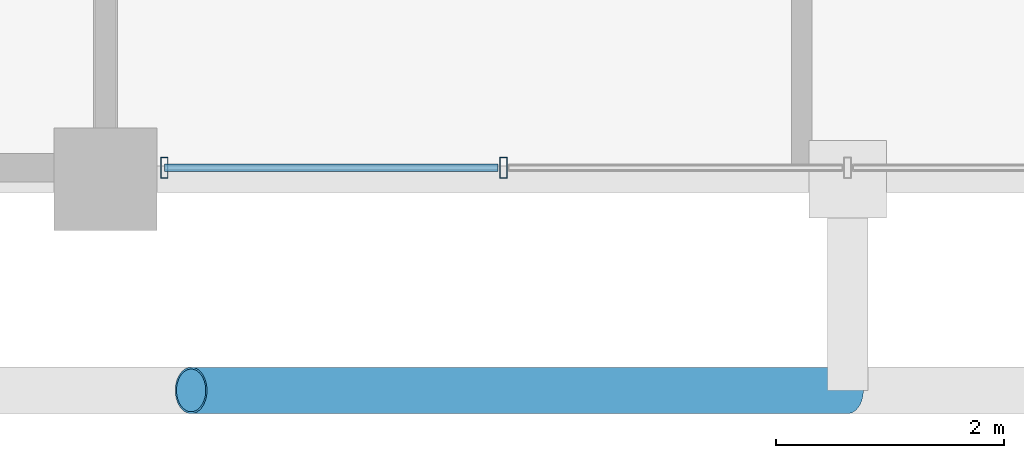
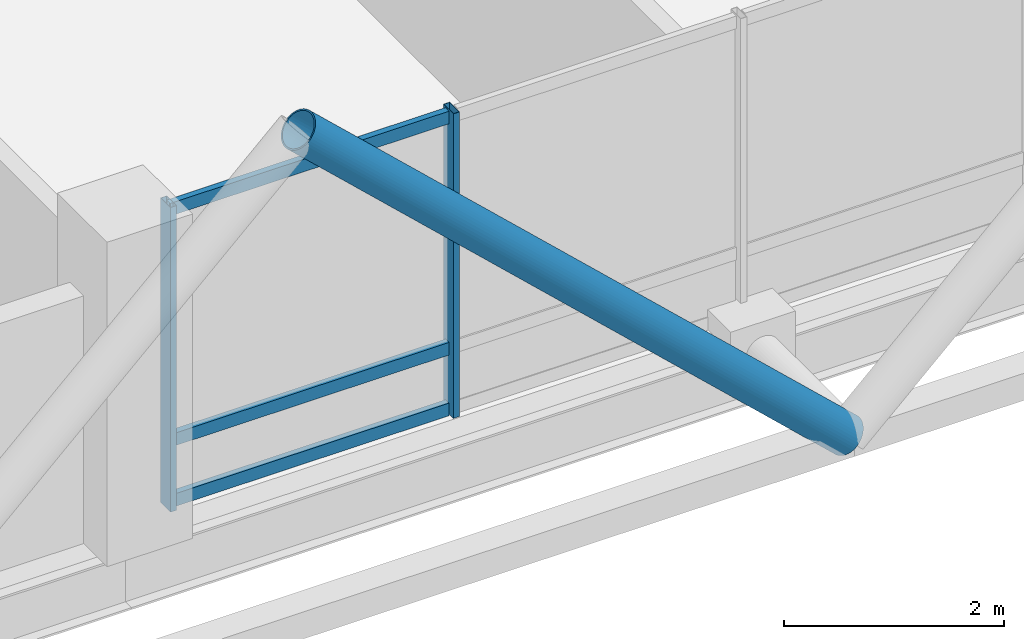
# One storey, part 2 of 24: 6 members, 1 element without a shape of its own.
"""IFC4 building model written with IfcOpenShell, lengths in metres."""

from ifc_helpers import new_model, si_unit, direction, frame, origin, origin_2d, place, context, subcontext, project, spatial, hollow_rectangle, hollow_circle, extrude, material, layer, layer_set, material_profile, profile_set, type_object, element, aggregate, save


model = new_model("IFC4")

# Units and contexts
model_context = context("Model", 3, precision=1e-05, world=origin(), true_north=direction((0.0, 1.0)))
body_context = subcontext(model_context, "Body", "Model", "MODEL_VIEW")
ifc_project = project(units=[si_unit("LENGTHUNIT", "METRE"), si_unit("AREAUNIT", "SQUARE_METRE"), si_unit("VOLUMEUNIT", "CUBIC_METRE"), si_unit("PLANEANGLEUNIT", "RADIAN"), si_unit("MASSUNIT", "GRAM", prefix="KILO")], contexts=[model_context])

# Site, building, storey
site_placement = place(None, origin())
site = spatial("IfcSite", under=ifc_project, at=site_placement, CompositionType="ELEMENT")
building_placement = place(site_placement, origin())
building = spatial("IfcBuilding", under=site, at=building_placement, Name="Barlavira Tower and Art Museum", CompositionType="ELEMENT")
storey_placement = place(building_placement, frame((0.0, 0.0, 283.5)))
storey = spatial("IfcBuildingStorey", under=building, at=storey_placement, Name="L74", CompositionType="ELEMENT", Elevation=283.5)

# Curtain wall, members
ifc_material_1 = material(Name="Low-iron coastal laminated glass", Category="glass")
ifc_layer = layer(ifc_material_1, 0.2099609375, Name="Low-iron coastal laminated glass")
ifc_layer_set = layer_set([ifc_layer], Name="Low-iron coastal laminated glass")
curtain_wall_type = type_object("IfcCurtainWallType", Name="Pale-Metal Unitised Curtain Wall Zone 4", PredefinedType="NOTDEFINED", material=ifc_layer_set)
curtain_wall_placement = place(storey_placement, origin())
curtain_wall = element("IfcCurtainWall", 1, at=curtain_wall_placement, inside=storey, type_object=curtain_wall_type, Name="L74 Curtain Wall CW4-L74-S-B2", PredefinedType="NOTDEFINED")
ifc_material_2 = material(Name="Pale anodised aluminium", Category="aluminium")
ifc_material_profile_1 = material_profile(ifc_material_2, hollow_rectangle(XDim=0.06494140625, YDim=0.179931640625, WallThickness=0.00390625, at=origin_2d()), Name="ALU-MULL 65x180x4")
ifc_profile_set_1 = profile_set([ifc_material_profile_1], Name="Pale anodised aluminium")
member_type_1 = type_object("IfcMemberType", Name="Curtain Wall Pale-Metal Mullion 65x180", PredefinedType="MULLION", material=ifc_profile_set_1)
member_1_placement = place(storey_placement, frame((-5.985107421875, -19.89990234375, 0.0), z_axis=(0.0, 0.0, 1.0), x_axis=(1.0, 0.0, 0.0)))
member_1 = element("IfcMember", 2, at=member_1_placement, type_object=member_type_1, Name="CW4-L74-S-B2 Mullion 0", PredefinedType="MULLION", context=body_context, shape_type="SweptSolid", body=[
    extrude(hollow_rectangle(XDim=0.06494140625, YDim=0.179931640625, WallThickness=0.00390625, at=origin_2d()), origin(), (0.0, 0.0, 1.0), 3.3798828125),
])
member_2_placement = place(storey_placement, frame((-3.014892578125, -19.89990234375, 0.0), z_axis=(0.0, 0.0, 1.0), x_axis=(1.0, 0.0, 0.0)))
member_2 = element("IfcMember", 3, at=member_2_placement, type_object=member_type_1, Name="CW4-L74-S-B2 Mullion 1", PredefinedType="MULLION", context=body_context, shape_type="SweptSolid", body=[
    extrude(hollow_rectangle(XDim=0.06494140625, YDim=0.179931640625, WallThickness=0.00390625, at=origin_2d()), origin(), (0.0, 0.0, 1.0), 3.3798828125),
])
ifc_material_profile_2 = material_profile(ifc_material_2, hollow_rectangle(XDim=0.06494140625, YDim=0.139892578125, WallThickness=0.00390625, at=origin_2d()), Name="ALU-TRAN 65x140x4")
ifc_profile_set_2 = profile_set([ifc_material_profile_2], Name="Pale anodised aluminium")
member_type_2 = type_object("IfcMemberType", Name="Curtain Wall Pale-Metal Transom 65x140", PredefinedType="USERDEFINED", material=ifc_profile_set_2)
member_3_placement = place(storey_placement, frame((-5.985107421875, -19.89990234375, 0.070068359375), z_axis=(1.0, 0.0, 0.0), x_axis=(0.0, 1.0, 0.0)))
member_3 = element("IfcMember", 4, at=member_3_placement, type_object=member_type_2, Name="CW4-L74-S-B2 Transom 0.1", ObjectType="TRANSOM", PredefinedType="USERDEFINED", context=body_context, shape_type="SweptSolid", body=[
    extrude(hollow_rectangle(XDim=0.06494140625, YDim=0.139892578125, WallThickness=0.00390625, at=origin_2d()), origin(), (0.0, 0.0, 1.0), 2.925048828125),
])
member_4_placement = place(storey_placement, frame((-5.985107421875, -19.89990234375, 0.743896484375), z_axis=(1.0, 0.0, 0.0), x_axis=(0.0, 1.0, 0.0)))
member_4 = element("IfcMember", 5, at=member_4_placement, type_object=member_type_2, Name="CW4-L74-S-B2 Transom 0.2", ObjectType="TRANSOM", PredefinedType="USERDEFINED", context=body_context, shape_type="SweptSolid", body=[
    extrude(hollow_rectangle(XDim=0.06494140625, YDim=0.139892578125, WallThickness=0.00390625, at=origin_2d()), origin(), (0.0, 0.0, 1.0), 2.925048828125),
])
member_5_placement = place(storey_placement, frame((-5.985107421875, -19.89990234375, 3.31005859375), z_axis=(1.0, 0.0, 0.0), x_axis=(0.0, 1.0, 0.0)))
member_5 = element("IfcMember", 6, at=member_5_placement, type_object=member_type_2, Name="CW4-L74-S-B2 Transom 0.3", ObjectType="TRANSOM", PredefinedType="USERDEFINED", context=body_context, shape_type="SweptSolid", body=[
    extrude(hollow_rectangle(XDim=0.06494140625, YDim=0.139892578125, WallThickness=0.00390625, at=origin_2d()), origin(), (0.0, 0.0, 1.0), 2.925048828125),
])
aggregate(curtain_wall, [member_1, member_2, member_3, member_4, member_5])

# Member
ifc_material_3 = material(Name="Steel S355", Category="steel")
ifc_material_profile_3 = material_profile(ifc_material_3, hollow_circle(Radius=0.203125, WallThickness=0.01611328125, at=origin_2d()), Name="CHS 406.4x16.0")
ifc_profile_set_3 = profile_set([ifc_material_profile_3], Name="Steel S355")
member_type_3 = type_object("IfcMemberType", Name="Pale-Metal Exoskeleton Diagrid Tube CHS 406x16 Steel S355", PredefinedType="BRACE", material=ifc_profile_set_3)
member_6_placement = place(storey_placement, frame((0.0, -21.85009765625, -0.1201171875), z_axis=(-0.728934650808, 0.0, 0.684583285548), x_axis=(0.0, -1.0, 0.0)))
element("IfcMember", 7, at=member_6_placement, inside=storey, type_object=member_type_3, Name="L74 Exoskeleton Diagrid Tube S", PredefinedType="BRACE", context=body_context, shape_type="SweptSolid", body=[
    extrude(hollow_circle(Radius=0.203125, WallThickness=0.01611328125, at=origin_2d()), origin(), (0.0, 0.0, 1.0), 7.88818359375),
])

save(model, "model.ifc")
